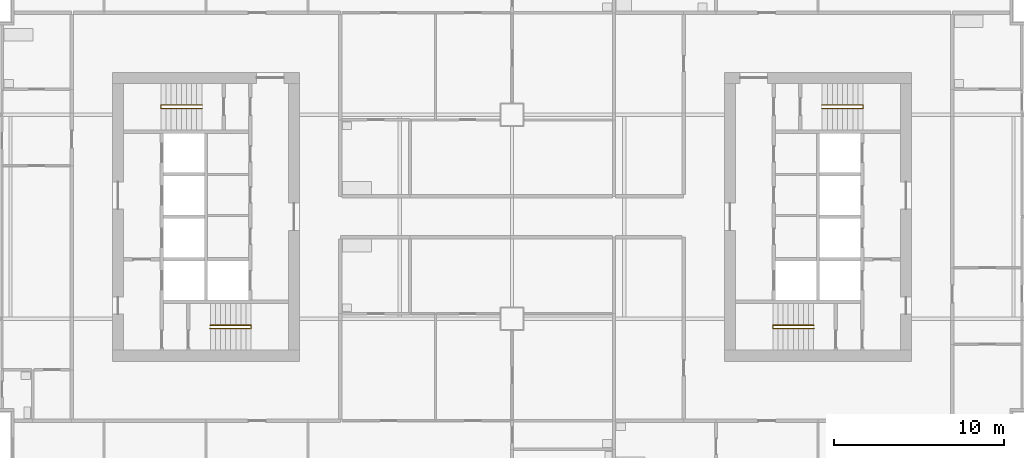
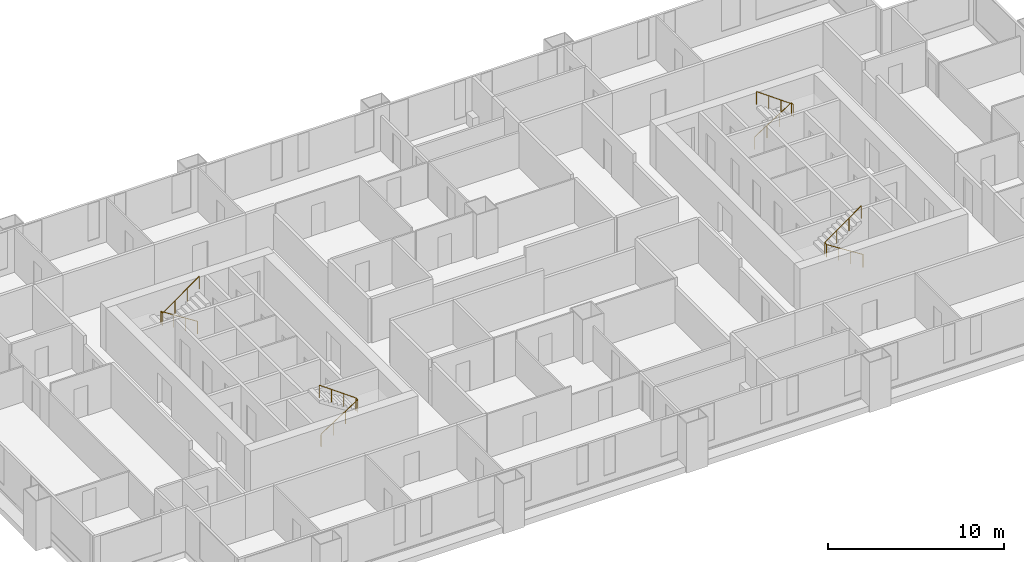
# One storey, part 10 of 11: 4 railings.
"""IFC4 building model written with IfcOpenShell, lengths in metres."""

from ifc_helpers import new_model, si_unit, direction, frame, origin, origin_2d, place, context, subcontext, project, spatial, circle, extrude, material, type_object, element, save


model = new_model("IFC4")

# Units and contexts
model_context = context("Model", 3, precision=1e-05, world=origin(), true_north=direction((0.0, 1.0)))
body_context = subcontext(model_context, "Body", "Model", "MODEL_VIEW")
ifc_project = project(units=[si_unit("LENGTHUNIT", "METRE"), si_unit("AREAUNIT", "SQUARE_METRE"), si_unit("VOLUMEUNIT", "CUBIC_METRE"), si_unit("PLANEANGLEUNIT", "RADIAN"), si_unit("MASSUNIT", "GRAM", prefix="KILO")], contexts=[model_context])

# Site, building, storey
site_placement = place(None, origin())
site = spatial("IfcSite", under=ifc_project, at=site_placement, CompositionType="ELEMENT")
building_placement = place(site_placement, origin())
building = spatial("IfcBuilding", under=site, at=building_placement, Name="Kitamizu Gate Tower and Museum", CompositionType="ELEMENT")
storey_placement = place(building_placement, frame((0.0, 0.0, 124.199951171875)))
storey = spatial("IfcBuildingStorey", under=building, at=storey_placement, Name="L32", CompositionType="ELEMENT", Elevation=124.199951171875)

# Railings
ifc_material = material(Name="Stainless steel SUS304", Category="steel")
railing_type = type_object("IfcRailingType", Name="Stair handrail 900", PredefinedType="HANDRAIL", material=ifc_material)
railing_1_placement = place(storey_placement, frame((18.25, 23.425048828125, 0.191650390625)))
element("IfcRailing", 1, at=railing_1_placement, inside=storey, type_object=railing_type, Name="Stair handrail ST1", PredefinedType="HANDRAIL", context=body_context, shape_type="SweptSolid", body=[
    extrude(circle(Radius=0.02392578125, at=origin_2d()), frame((0.0, 0.0, 0.8759765625), z_axis=(0.842668169335, 0.0, 0.538433242278), x_axis=(0.0, 1.0, 0.0)), (0.0, 0.0, 1.0), 2.847900390625),
    extrude(circle(Radius=0.02392578125, at=origin_2d()), frame((2.39990234375, 0.0, 2.4091796875), z_axis=(0.0, 1.0, 0.0), x_axis=(-1.0, 0.0, 0.0)), (0.0, 0.0, 1.0), 0.199951171875),
    extrude(circle(Radius=0.02392578125, at=origin_2d()), frame((2.39990234375, 0.199951171875, 2.4091796875), z_axis=(-0.81202760531, 0.0, 0.583619026604), x_axis=(0.0, -1.0, 0.0)), (0.0, 0.0, 1.0), 2.955322265625),
    extrude(circle(Radius=0.02099609375, at=origin_2d()), origin(), (0.0, 0.0, 1.0), 0.851806640625),
    extrude(circle(Radius=0.02099609375, at=origin_2d()), frame((0.800048828125, 0.0, 0.51123046875)), (0.0, 0.0, 1.0), 0.851806640625),
    extrude(circle(Radius=0.02099609375, at=origin_2d()), frame((1.599853515625, 0.0, 1.022216796875)), (0.0, 0.0, 1.0), 0.851806640625),
    extrude(circle(Radius=0.02099609375, at=origin_2d()), frame((2.39990234375, 0.0, 1.533447265625)), (0.0, 0.0, 1.0), 0.851806640625),
    extrude(circle(Radius=0.02099609375, at=origin_2d()), frame((2.39990234375, 0.199951171875, 1.533447265625)), (0.0, 0.0, 1.0), 0.851806640625),
    extrude(circle(Radius=0.02099609375, at=origin_2d()), frame((1.599853515625, 0.199951171875, 2.1083984375)), (0.0, 0.0, 1.0), 0.851806640625),
    extrude(circle(Radius=0.02099609375, at=origin_2d()), frame((0.800048828125, 0.199951171875, 2.683349609375)), (0.0, 0.0, 1.0), 0.851806640625),
    extrude(circle(Radius=0.02099609375, at=origin_2d()), frame((0.0, 0.199951171875, 3.25830078125)), (0.0, 0.0, 1.0), 0.851806640625),
])
railing_2_placement = place(storey_placement, frame((17.75, 36.574951171875, 0.191650390625)))
element("IfcRailing", 2, at=railing_2_placement, inside=storey, type_object=railing_type, Name="Stair handrail ST2", PredefinedType="HANDRAIL", context=body_context, shape_type="SweptSolid", body=[
    extrude(circle(Radius=0.02392578125, at=origin_2d()), frame((0.0, 0.0, 0.8759765625), z_axis=(-0.842668169335, 0.0, 0.538433242278), x_axis=(0.0, -1.0, 0.0)), (0.0, 0.0, 1.0), 2.847900390625),
    extrude(circle(Radius=0.02392578125, at=origin_2d()), frame((-2.39990234375, 0.0, 2.4091796875), z_axis=(0.0, -1.0, 0.0), x_axis=(1.0, 0.0, 0.0)), (0.0, 0.0, 1.0), 0.199951171875),
    extrude(circle(Radius=0.02392578125, at=origin_2d()), frame((-2.39990234375, -0.199951171875, 2.4091796875), z_axis=(0.81202760531, 0.0, 0.583619026604), x_axis=(0.0, 1.0, 0.0)), (0.0, 0.0, 1.0), 2.955322265625),
    extrude(circle(Radius=0.02099609375, at=origin_2d()), origin(), (0.0, 0.0, 1.0), 0.851806640625),
    extrude(circle(Radius=0.02099609375, at=origin_2d()), frame((-0.800048828125, 0.0, 0.51123046875)), (0.0, 0.0, 1.0), 0.851806640625),
    extrude(circle(Radius=0.02099609375, at=origin_2d()), frame((-1.599853515625, 0.0, 1.022216796875)), (0.0, 0.0, 1.0), 0.851806640625),
    extrude(circle(Radius=0.02099609375, at=origin_2d()), frame((-2.39990234375, 0.0, 1.533447265625)), (0.0, 0.0, 1.0), 0.851806640625),
    extrude(circle(Radius=0.02099609375, at=origin_2d()), frame((-2.39990234375, -0.199951171875, 1.533447265625)), (0.0, 0.0, 1.0), 0.851806640625),
    extrude(circle(Radius=0.02099609375, at=origin_2d()), frame((-1.599853515625, -0.199951171875, 2.1083984375)), (0.0, 0.0, 1.0), 0.851806640625),
    extrude(circle(Radius=0.02099609375, at=origin_2d()), frame((-0.800048828125, -0.199951171875, 2.683349609375)), (0.0, 0.0, 1.0), 0.851806640625),
    extrude(circle(Radius=0.02099609375, at=origin_2d()), frame((0.0, -0.199951171875, 3.25830078125)), (0.0, 0.0, 1.0), 0.851806640625),
])
railing_3_placement = place(storey_placement, frame((53.75, 23.425048828125, 0.191650390625)))
element("IfcRailing", 3, at=railing_3_placement, inside=storey, type_object=railing_type, Name="Stair handrail ST3", PredefinedType="HANDRAIL", context=body_context, shape_type="SweptSolid", body=[
    extrude(circle(Radius=0.02392578125, at=origin_2d()), frame((0.0, 0.0, 0.8759765625), z_axis=(-0.842668169335, 0.0, 0.538433242278), x_axis=(0.0, -1.0, 0.0)), (0.0, 0.0, 1.0), 2.847900390625),
    extrude(circle(Radius=0.02392578125, at=origin_2d()), frame((-2.39990234375, 0.0, 2.4091796875), z_axis=(0.0, 1.0, 0.0), x_axis=(-1.0, 0.0, 0.0)), (0.0, 0.0, 1.0), 0.199951171875),
    extrude(circle(Radius=0.02392578125, at=origin_2d()), frame((-2.39990234375, 0.199951171875, 2.4091796875), z_axis=(0.81202760531, 0.0, 0.583619026604), x_axis=(0.0, 1.0, 0.0)), (0.0, 0.0, 1.0), 2.955322265625),
    extrude(circle(Radius=0.02099609375, at=origin_2d()), origin(), (0.0, 0.0, 1.0), 0.851806640625),
    extrude(circle(Radius=0.02099609375, at=origin_2d()), frame((-0.800048828125, 0.0, 0.51123046875)), (0.0, 0.0, 1.0), 0.851806640625),
    extrude(circle(Radius=0.02099609375, at=origin_2d()), frame((-1.599853515625, 0.0, 1.022216796875)), (0.0, 0.0, 1.0), 0.851806640625),
    extrude(circle(Radius=0.02099609375, at=origin_2d()), frame((-2.39990234375, 0.0, 1.533447265625)), (0.0, 0.0, 1.0), 0.851806640625),
    extrude(circle(Radius=0.02099609375, at=origin_2d()), frame((-2.39990234375, 0.199951171875, 1.533447265625)), (0.0, 0.0, 1.0), 0.851806640625),
    extrude(circle(Radius=0.02099609375, at=origin_2d()), frame((-1.599853515625, 0.199951171875, 2.1083984375)), (0.0, 0.0, 1.0), 0.851806640625),
    extrude(circle(Radius=0.02099609375, at=origin_2d()), frame((-0.800048828125, 0.199951171875, 2.683349609375)), (0.0, 0.0, 1.0), 0.851806640625),
    extrude(circle(Radius=0.02099609375, at=origin_2d()), frame((0.0, 0.199951171875, 3.25830078125)), (0.0, 0.0, 1.0), 0.851806640625),
])
railing_4_placement = place(storey_placement, frame((54.25, 36.574951171875, 0.191650390625)))
element("IfcRailing", 4, at=railing_4_placement, inside=storey, type_object=railing_type, Name="Stair handrail ST4", PredefinedType="HANDRAIL", context=body_context, shape_type="SweptSolid", body=[
    extrude(circle(Radius=0.02392578125, at=origin_2d()), frame((0.0, 0.0, 0.8759765625), z_axis=(0.842668169335, 0.0, 0.538433242278), x_axis=(0.0, 1.0, 0.0)), (0.0, 0.0, 1.0), 2.847900390625),
    extrude(circle(Radius=0.02392578125, at=origin_2d()), frame((2.39990234375, 0.0, 2.4091796875), z_axis=(0.0, -1.0, 0.0), x_axis=(1.0, 0.0, 0.0)), (0.0, 0.0, 1.0), 0.199951171875),
    extrude(circle(Radius=0.02392578125, at=origin_2d()), frame((2.39990234375, -0.199951171875, 2.4091796875), z_axis=(-0.81202760531, 0.0, 0.583619026604), x_axis=(0.0, -1.0, 0.0)), (0.0, 0.0, 1.0), 2.955322265625),
    extrude(circle(Radius=0.02099609375, at=origin_2d()), origin(), (0.0, 0.0, 1.0), 0.851806640625),
    extrude(circle(Radius=0.02099609375, at=origin_2d()), frame((0.800048828125, 0.0, 0.51123046875)), (0.0, 0.0, 1.0), 0.851806640625),
    extrude(circle(Radius=0.02099609375, at=origin_2d()), frame((1.599853515625, 0.0, 1.022216796875)), (0.0, 0.0, 1.0), 0.851806640625),
    extrude(circle(Radius=0.02099609375, at=origin_2d()), frame((2.39990234375, 0.0, 1.533447265625)), (0.0, 0.0, 1.0), 0.851806640625),
    extrude(circle(Radius=0.02099609375, at=origin_2d()), frame((2.39990234375, -0.199951171875, 1.533447265625)), (0.0, 0.0, 1.0), 0.851806640625),
    extrude(circle(Radius=0.02099609375, at=origin_2d()), frame((1.599853515625, -0.199951171875, 2.1083984375)), (0.0, 0.0, 1.0), 0.851806640625),
    extrude(circle(Radius=0.02099609375, at=origin_2d()), frame((0.800048828125, -0.199951171875, 2.683349609375)), (0.0, 0.0, 1.0), 0.851806640625),
    extrude(circle(Radius=0.02099609375, at=origin_2d()), frame((0.0, -0.199951171875, 3.25830078125)), (0.0, 0.0, 1.0), 0.851806640625),
])

save(model, "model.ifc")
